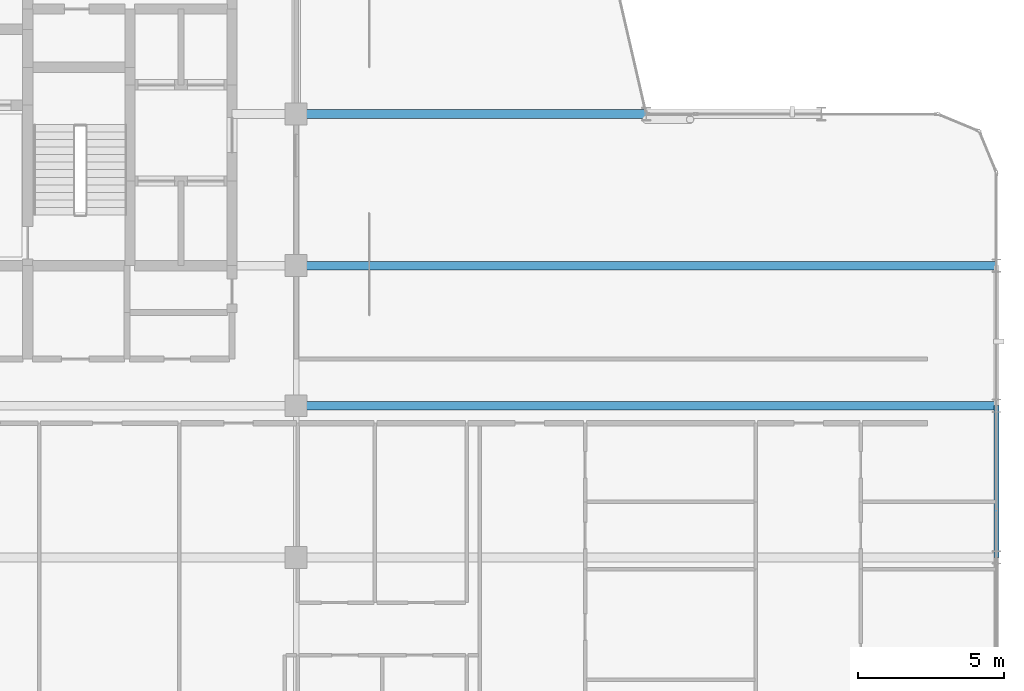
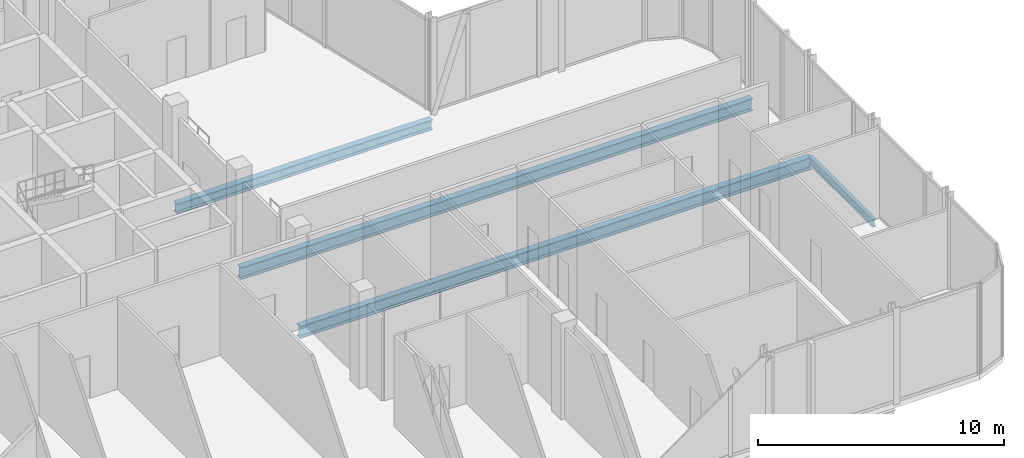
# One storey, part 13 of 29: 4 beams.
"""IFC4 building model written with IfcOpenShell, lengths in metres."""

from ifc_helpers import new_model, si_unit, direction, frame, origin, origin_2d, place, context, subcontext, project, spatial, i_section, extrude, material, material_profile, profile_set, type_object, element, save


model = new_model("IFC4")

# Units and contexts
model_context = context("Model", 3, precision=1e-05, world=origin(), true_north=direction((0.0, 1.0)))
body_context = subcontext(model_context, "Body", "Model", "MODEL_VIEW")
ifc_project = project(units=[si_unit("LENGTHUNIT", "METRE"), si_unit("AREAUNIT", "SQUARE_METRE"), si_unit("VOLUMEUNIT", "CUBIC_METRE"), si_unit("PLANEANGLEUNIT", "RADIAN"), si_unit("MASSUNIT", "GRAM", prefix="KILO")], contexts=[model_context])

# Site, building, storey
site_placement = place(None, origin())
site = spatial("IfcSite", under=ifc_project, at=site_placement, CompositionType="ELEMENT")
building_placement = place(site_placement, origin())
building = spatial("IfcBuilding", under=site, at=building_placement, Name="Keshet Zoharim Tower", CompositionType="ELEMENT")
storey_placement = place(building_placement, frame((0.0, 0.0, 218.0)))
storey = spatial("IfcBuildingStorey", under=building, at=storey_placement, Name="L54", CompositionType="ELEMENT", Elevation=218.0)

# Beams
ifc_material = material(Name="Steel S355", Category="steel")
ifc_material_profile_1 = material_profile(ifc_material, i_section(OverallWidth=0.300048828125, OverallDepth=0.60009765625, WebThickness=0.015380859375, FlangeThickness=0.030029296875, FilletRadius=0.027099609375, at=origin_2d()), Name="HEB600")
ifc_profile_set_1 = profile_set([ifc_material_profile_1], Name="Steel S355")
beam_type_1 = type_object("IfcBeamType", Name="BM-LNG-HB600", PredefinedType="BEAM", material=ifc_profile_set_1)
for number, where, z_axis, x_axis, name in (
    (1, (33.0, 17.89990234375, -0.6201171875), (1.0, 0.0, 0.0), (0.0, 1.0, 0.0), "L54 Primary Girder X-013"),
    (2, (33.0, 22.699951171875, -0.6201171875), (1.0, 0.0, 0.0), (0.0, 1.0, 0.0), "L54 Primary Girder X-014"),
):
    element("IfcBeam", number, at=place(storey_placement, frame(where, z_axis=z_axis, x_axis=x_axis)), inside=storey, type_object=beam_type_1, Name=name, PredefinedType="BEAM", context=body_context, shape_type="SweptSolid", body=[
        extrude(i_section(OverallWidth=0.300048828125, OverallDepth=0.60009765625, WebThickness=0.015380859375, FlangeThickness=0.030029296875, FilletRadius=0.027099609375, at=origin_2d()), origin(), (0.0, 0.0, 1.0), 24.0),
    ])
ifc_material_profile_2 = material_profile(ifc_material, i_section(OverallWidth=0.300048828125, OverallDepth=0.5, WebThickness=0.014404296875, FlangeThickness=0.028076171875, FilletRadius=0.027099609375, at=origin_2d()), Name="HEB500")
ifc_profile_set_2 = profile_set([ifc_material_profile_2], Name="Steel S355")
beam_type_2 = type_object("IfcBeamType", Name="BM-MED-HB500", PredefinedType="BEAM", material=ifc_profile_set_2)
beam_1_placement = place(storey_placement, frame((33.0, 27.89990234375, -0.570068359375), z_axis=(1.0, 0.0, 0.0), x_axis=(0.0, 1.0, 0.0)))
element("IfcBeam", 3, at=beam_1_placement, inside=storey, type_object=beam_type_2, Name="L54 Primary Girder X-015", PredefinedType="BEAM", context=body_context, shape_type="SweptSolid", body=[
    extrude(i_section(OverallWidth=0.300048828125, OverallDepth=0.5, WebThickness=0.014404296875, FlangeThickness=0.028076171875, FilletRadius=0.027099609375, at=origin_2d()), origin(), (0.0, 0.0, 1.0), 12.0),
])
ifc_material_profile_3 = material_profile(ifc_material, i_section(OverallWidth=0.179931640625, OverallDepth=0.39990234375, WebThickness=0.008544921875, FlangeThickness=0.013427734375, FilletRadius=0.02099609375, at=origin_2d()), Name="IPE400")
ifc_profile_set_3 = profile_set([ifc_material_profile_3], Name="Steel S355")
beam_type_3 = type_object("IfcBeamType", Name="BM-PRI-IP400", PredefinedType="BEAM", material=ifc_profile_set_3)
beam_2_placement = place(storey_placement, frame((57.0, 12.699951171875, -0.52001953125), z_axis=(0.0, 1.0, 0.0), x_axis=(-1.0, 0.0, 0.0)))
element("IfcBeam", 4, at=beam_2_placement, inside=storey, type_object=beam_type_3, Name="L54 Primary Girder Y-014", PredefinedType="BEAM", context=body_context, shape_type="SweptSolid", body=[
    extrude(i_section(OverallWidth=0.179931640625, OverallDepth=0.39990234375, WebThickness=0.008544921875, FlangeThickness=0.013427734375, FilletRadius=0.02099609375, at=origin_2d()), origin(), (0.0, 0.0, 1.0), 5.199951171875),
])

save(model, "model.ifc")
